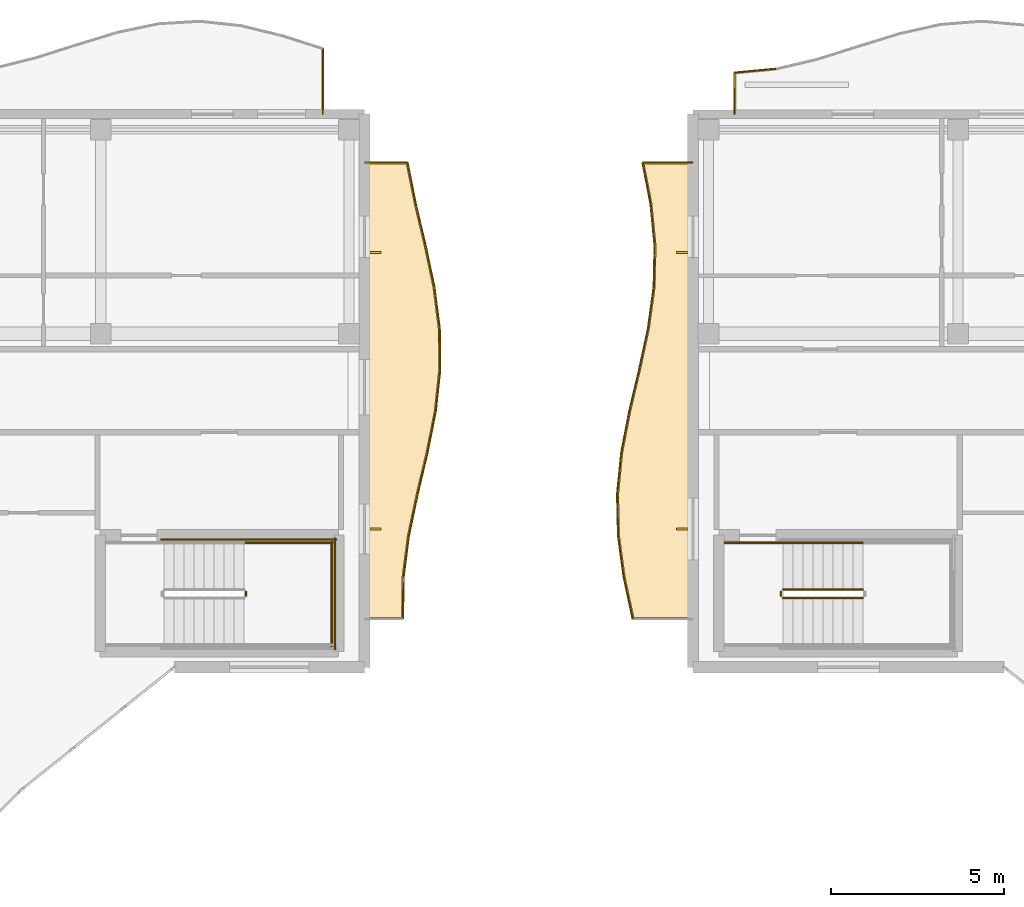
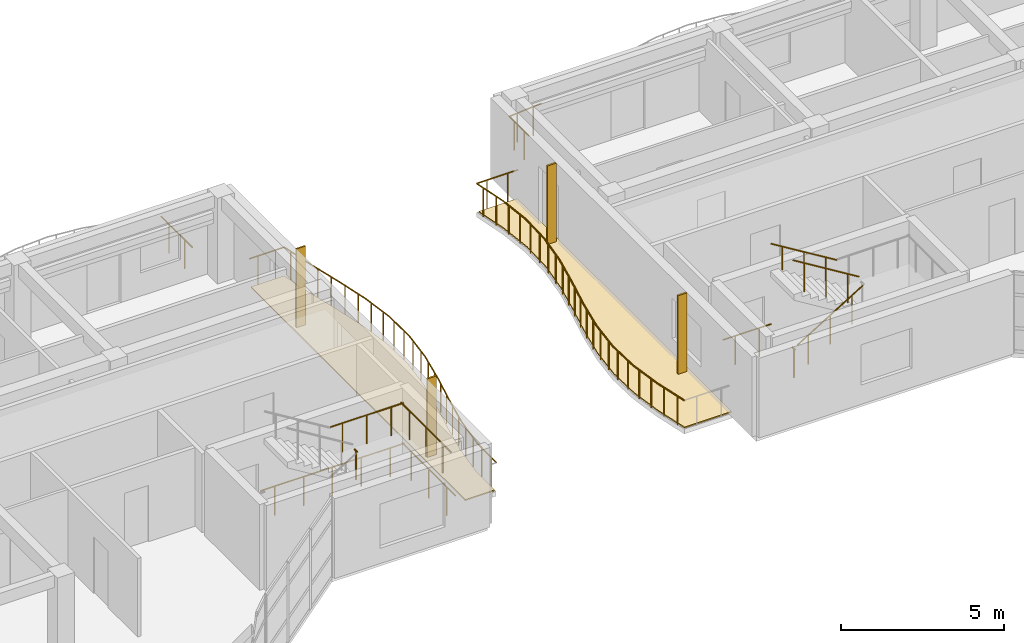
# One storey, part 73 of 76: 37 railings, 4 shading devices, 2 coverings.
"""IFC4 building model written with IfcOpenShell, lengths in metres."""

from ifc_helpers import new_model, si_unit, direction, frame, origin, origin_2d, place, context, subcontext, project, spatial, polyline, rectangle, circle, outline, extrude, material, layer, layer_set, type_object, element, save


model = new_model("IFC4")

# Units and contexts
model_context = context("Model", 3, precision=1e-05, world=origin(), true_north=direction((0.0, 1.0)))
body_context = subcontext(model_context, "Body", "Model", "MODEL_VIEW")
ifc_project = project(units=[si_unit("LENGTHUNIT", "METRE"), si_unit("AREAUNIT", "SQUARE_METRE"), si_unit("VOLUMEUNIT", "CUBIC_METRE"), si_unit("PLANEANGLEUNIT", "RADIAN"), si_unit("MASSUNIT", "GRAM", prefix="KILO")], contexts=[model_context])

# Site, building, storey
site_placement = place(None, origin())
site = spatial("IfcSite", under=ifc_project, at=site_placement, CompositionType="ELEMENT")
building_placement = place(site_placement, origin())
building = spatial("IfcBuilding", under=site, at=building_placement, Name="Keldmere Railside Commons", CompositionType="ELEMENT")
storey_placement = place(building_placement, frame((0.0, 0.0, 13.760009765625)))
storey = spatial("IfcBuildingStorey", under=building, at=storey_placement, Name="L04", CompositionType="ELEMENT", Elevation=13.760009765625)

# Railings
ifc_material_1 = material(Name="Steel F-24 (S235)", Category="steel")
railing_type_1 = type_object("IfcRailingType", Name="Balcony & Terrace Steel Balustrade 1100", PredefinedType="BALUSTRADE", material=ifc_material_1)
railing_1_placement = place(storey_placement, frame((136.300048828125, 117.90478515625, 0.0)))
element("IfcRailing", 1, at=railing_1_placement, inside=storey, type_object=railing_type_1, Name="GR-1 GRD-L04-2273", PredefinedType="BALUSTRADE", context=body_context, shape_type="SweptSolid", body=[
    extrude(circle(Radius=0.02392578125, at=origin_2d()), frame((0.0, 0.0, 1.076171875), z_axis=(0.0, -1.0, 0.0), x_axis=(1.0, 0.0, 0.0)), (0.0, 0.0, 1.0), 1.90478515625),
    extrude(circle(Radius=0.02099609375, at=origin_2d()), frame((0.0, -0.47607421875, 0.0)), (0.0, 0.0, 1.0), 1.048095703125),
    extrude(circle(Radius=0.02099609375, at=origin_2d()), frame((0.0, -1.4287109375, 0.0)), (0.0, 0.0, 1.0), 1.048095703125),
])
railing_2_placement = place(storey_placement, frame((138.6123046875, 101.39990234375, 0.0)))
element("IfcRailing", 2, at=railing_2_placement, inside=storey, type_object=railing_type_1, Name="GR-1 GRD-L04-2330", PredefinedType="BALUSTRADE", context=body_context, shape_type="SweptSolid", body=[
    extrude(circle(Radius=0.02392578125, at=origin_2d()), frame((0.0, 0.0, 1.076171875), z_axis=(0.01179738887, 0.999930408386, 0.0), x_axis=(-0.999930408386, 0.01179738887, 0.0)), (0.0, 0.0, 1.0), 1.2001953125),
    extrude(circle(Radius=0.02099609375, at=origin_2d()), frame((0.00341796875, 0.300048828125, 0.0)), (0.0, 0.0, 1.0), 1.048095703125),
    extrude(circle(Radius=0.02099609375, at=origin_2d()), frame((0.0107421875, 0.900146484375, 0.0)), (0.0, 0.0, 1.0), 1.048095703125),
])
railing_3_placement = place(storey_placement, frame((138.62646484375, 102.60009765625, 0.0)))
element("IfcRailing", 3, at=railing_3_placement, inside=storey, type_object=railing_type_1, Name="GR-1 GRD-L04-2331", PredefinedType="BALUSTRADE", context=body_context, shape_type="SweptSolid", body=[
    extrude(circle(Radius=0.02392578125, at=origin_2d()), frame((0.0, 0.0, 1.076171875), z_axis=(0.127535922224, 0.991833952102, 0.0), x_axis=(-0.991833952102, 0.127535922224, 0.0)), (0.0, 0.0, 1.0), 1.209716796875),
    extrude(circle(Radius=0.02099609375, at=origin_2d()), frame((0.03857421875, 0.300048828125, 0.0)), (0.0, 0.0, 1.0), 1.048095703125),
    extrude(circle(Radius=0.02099609375, at=origin_2d()), frame((0.11572265625, 0.89990234375, 0.0)), (0.0, 0.0, 1.0), 1.048095703125),
])
railing_4_placement = place(storey_placement, frame((138.78076171875, 103.800048828125, 0.0)))
element("IfcRailing", 4, at=railing_4_placement, inside=storey, type_object=railing_type_1, Name="GR-1 GRD-L04-2332", PredefinedType="BALUSTRADE", context=body_context, shape_type="SweptSolid", body=[
    extrude(circle(Radius=0.02392578125, at=origin_2d()), frame((0.0, 0.0, 1.076171875), z_axis=(0.206632460554, 0.978418635475, 0.0), x_axis=(-0.978418635475, 0.206632460554, 0.0)), (0.0, 0.0, 1.0), 1.226318359375),
    extrude(circle(Radius=0.02099609375, at=origin_2d()), frame((0.0634765625, 0.300048828125, 0.0)), (0.0, 0.0, 1.0), 1.048095703125),
    extrude(circle(Radius=0.02099609375, at=origin_2d()), frame((0.18994140625, 0.89990234375, 0.0)), (0.0, 0.0, 1.0), 1.048095703125),
])
railing_5_placement = place(storey_placement, frame((139.0341796875, 105.0, 0.0)))
element("IfcRailing", 5, at=railing_5_placement, inside=storey, type_object=railing_type_1, Name="GR-1 GRD-L04-2333", PredefinedType="BALUSTRADE", context=body_context, shape_type="SweptSolid", body=[
    extrude(circle(Radius=0.02392578125, at=origin_2d()), frame((0.0, 0.0, 1.076171875), z_axis=(0.230451583852, 0.973083792641, 0.0), x_axis=(-0.973083792641, 0.230451583852, 0.0)), (0.0, 0.0, 1.0), 1.233154296875),
    extrude(circle(Radius=0.02099609375, at=origin_2d()), frame((0.071044921875, 0.300048828125, 0.0)), (0.0, 0.0, 1.0), 1.048095703125),
    extrude(circle(Radius=0.02099609375, at=origin_2d()), frame((0.213134765625, 0.89990234375, 0.0)), (0.0, 0.0, 1.0), 1.048095703125),
])
railing_6_placement = place(storey_placement, frame((139.318359375, 106.199951171875, 0.0)))
element("IfcRailing", 6, at=railing_6_placement, inside=storey, type_object=railing_type_1, Name="GR-1 GRD-L04-2334", PredefinedType="BALUSTRADE", context=body_context, shape_type="SweptSolid", body=[
    extrude(circle(Radius=0.02392578125, at=origin_2d()), frame((0.0, 0.0, 1.076171875), z_axis=(0.195540530718, 0.980695620897, 0.0), x_axis=(-0.980695620897, 0.195540530718, 0.0)), (0.0, 0.0, 1.0), 1.2236328125),
    extrude(circle(Radius=0.02099609375, at=origin_2d()), frame((0.059814453125, 0.300048828125, 0.0)), (0.0, 0.0, 1.0), 1.048095703125),
    extrude(circle(Radius=0.02099609375, at=origin_2d()), frame((0.179443359375, 0.89990234375, 0.0)), (0.0, 0.0, 1.0), 1.048095703125),
])
railing_7_placement = place(storey_placement, frame((139.5576171875, 107.39990234375, 0.0)))
element("IfcRailing", 7, at=railing_7_placement, inside=storey, type_object=railing_type_1, Name="GR-1 GRD-L04-2335", PredefinedType="BALUSTRADE", context=body_context, shape_type="SweptSolid", body=[
    extrude(circle(Radius=0.02392578125, at=origin_2d()), frame((0.0, 0.0, 1.076171875), z_axis=(0.107589896583, 0.994195360155, 0.0), x_axis=(-0.994195360155, 0.107589896583, 0.0)), (0.0, 0.0, 1.0), 1.207275390625),
    extrude(circle(Radius=0.02099609375, at=origin_2d()), frame((0.032470703125, 0.300048828125, 0.0)), (0.0, 0.0, 1.0), 1.048095703125),
    extrude(circle(Radius=0.02099609375, at=origin_2d()), frame((0.097412109375, 0.900146484375, 0.0)), (0.0, 0.0, 1.0), 1.048095703125),
])
railing_8_placement = place(storey_placement, frame((139.6875, 108.60009765625, 0.0)))
element("IfcRailing", 8, at=railing_8_placement, inside=storey, type_object=railing_type_1, Name="GR-1 GRD-L04-2336", PredefinedType="BALUSTRADE", context=body_context, shape_type="SweptSolid", body=[
    extrude(circle(Radius=0.02392578125, at=origin_2d()), frame((0.0, 0.0, 1.076171875), z_axis=(-0.011596371782, 0.99993275982, 0.0), x_axis=(-0.99993275982, -0.011596371782, 0.0)), (0.0, 0.0, 1.0), 1.199951171875),
    extrude(circle(Radius=0.02099609375, at=origin_2d()), frame((-0.00341796875, 0.300048828125, 0.0)), (0.0, 0.0, 1.0), 1.048095703125),
    extrude(circle(Radius=0.02099609375, at=origin_2d()), frame((-0.010498046875, 0.89990234375, 0.0)), (0.0, 0.0, 1.0), 1.048095703125),
])
railing_9_placement = place(storey_placement, frame((139.673583984375, 109.800048828125, 0.0)))
element("IfcRailing", 9, at=railing_9_placement, inside=storey, type_object=railing_type_1, Name="GR-1 GRD-L04-2337", PredefinedType="BALUSTRADE", context=body_context, shape_type="SweptSolid", body=[
    extrude(circle(Radius=0.02392578125, at=origin_2d()), frame((0.0, 0.0, 1.076171875), z_axis=(-0.127535922224, 0.991833952102, 0.0), x_axis=(-0.991833952102, -0.127535922224, 0.0)), (0.0, 0.0, 1.0), 1.209716796875),
    extrude(circle(Radius=0.02099609375, at=origin_2d()), frame((-0.03857421875, 0.300048828125, 0.0)), (0.0, 0.0, 1.0), 1.048095703125),
    extrude(circle(Radius=0.02099609375, at=origin_2d()), frame((-0.11572265625, 0.89990234375, 0.0)), (0.0, 0.0, 1.0), 1.048095703125),
])
railing_10_placement = place(storey_placement, frame((139.519287109375, 111.0, 0.0)))
element("IfcRailing", 10, at=railing_10_placement, inside=storey, type_object=railing_type_1, Name="GR-1 GRD-L04-2338", PredefinedType="BALUSTRADE", context=body_context, shape_type="SweptSolid", body=[
    extrude(circle(Radius=0.02392578125, at=origin_2d()), frame((0.0, 0.0, 1.076171875), z_axis=(-0.206632460554, 0.978418635475, 0.0), x_axis=(-0.978418635475, -0.206632460554, 0.0)), (0.0, 0.0, 1.0), 1.226318359375),
    extrude(circle(Radius=0.02099609375, at=origin_2d()), frame((-0.0634765625, 0.300048828125, 0.0)), (0.0, 0.0, 1.0), 1.048095703125),
    extrude(circle(Radius=0.02099609375, at=origin_2d()), frame((-0.18994140625, 0.89990234375, 0.0)), (0.0, 0.0, 1.0), 1.048095703125),
])
railing_11_placement = place(storey_placement, frame((139.265869140625, 112.199951171875, 0.0)))
element("IfcRailing", 11, at=railing_11_placement, inside=storey, type_object=railing_type_1, Name="GR-1 GRD-L04-2339", PredefinedType="BALUSTRADE", context=body_context, shape_type="SweptSolid", body=[
    extrude(circle(Radius=0.02392578125, at=origin_2d()), frame((0.0, 0.0, 1.076171875), z_axis=(-0.230451583852, 0.973083792641, 0.0), x_axis=(-0.973083792641, -0.230451583852, 0.0)), (0.0, 0.0, 1.0), 1.233154296875),
    extrude(circle(Radius=0.02099609375, at=origin_2d()), frame((-0.071044921875, 0.300048828125, 0.0)), (0.0, 0.0, 1.0), 1.048095703125),
    extrude(circle(Radius=0.02099609375, at=origin_2d()), frame((-0.213134765625, 0.89990234375, 0.0)), (0.0, 0.0, 1.0), 1.048095703125),
])
railing_12_placement = place(storey_placement, frame((138.981689453125, 113.39990234375, 0.0)))
element("IfcRailing", 12, at=railing_12_placement, inside=storey, type_object=railing_type_1, Name="GR-1 GRD-L04-2340", PredefinedType="BALUSTRADE", context=body_context, shape_type="SweptSolid", body=[
    extrude(circle(Radius=0.02392578125, at=origin_2d()), frame((0.0, 0.0, 1.076171875), z_axis=(-0.195502274815, 0.980703247951, 0.0), x_axis=(-0.980703247951, -0.195502274815, 0.0)), (0.0, 0.0, 1.0), 1.223876953125),
    extrude(circle(Radius=0.02099609375, at=origin_2d()), frame((-0.059814453125, 0.300048828125, 0.0)), (0.0, 0.0, 1.0), 1.048095703125),
    extrude(circle(Radius=0.02099609375, at=origin_2d()), frame((-0.179443359375, 0.900146484375, 0.0)), (0.0, 0.0, 1.0), 1.048095703125),
])
railing_13_placement = place(storey_placement, frame((138.742431640625, 114.60009765625, 0.0)))
element("IfcRailing", 13, at=railing_13_placement, inside=storey, type_object=railing_type_1, Name="GR-1 GRD-L04-2341", PredefinedType="BALUSTRADE", context=body_context, shape_type="SweptSolid", body=[
    extrude(circle(Radius=0.02392578125, at=origin_2d()), frame((0.0, 0.0, 1.076171875), z_axis=(-1.0, 0.0, 0.0), x_axis=(0.0, -1.0, 0.0)), (0.0, 0.0, 1.0), 1.242431640625),
    extrude(circle(Radius=0.02099609375, at=origin_2d()), frame((-0.310546875, 0.0, 0.0)), (0.0, 0.0, 1.0), 1.048095703125),
    extrude(circle(Radius=0.02099609375, at=origin_2d()), frame((-0.931884765625, 0.0, 0.0)), (0.0, 0.0, 1.0), 1.048095703125),
])
railing_14_placement = place(storey_placement, frame((148.199951171875, 116.0, 0.0)))
element("IfcRailing", 14, at=railing_14_placement, inside=storey, type_object=railing_type_1, Name="GR-1 GRD-L04-3555", PredefinedType="BALUSTRADE", context=body_context, shape_type="SweptSolid", body=[
    extrude(circle(Radius=0.02392578125, at=origin_2d()), frame((0.0, 0.0, 1.076171875), z_axis=(0.0, 1.0, 0.0), x_axis=(-1.0, 0.0, 0.0)), (0.0, 0.0, 1.0), 1.200439453125),
    extrude(circle(Radius=0.02099609375, at=origin_2d()), frame((0.0, 0.300048828125, 0.0)), (0.0, 0.0, 1.0), 1.048095703125),
    extrude(circle(Radius=0.02099609375, at=origin_2d()), frame((0.0, 0.900390625, 0.0)), (0.0, 0.0, 1.0), 1.048095703125),
])
railing_15_placement = place(storey_placement, frame((148.199951171875, 117.200439453125, 0.0)))
element("IfcRailing", 15, at=railing_15_placement, inside=storey, type_object=railing_type_1, Name="GR-1 GRD-L04-3556", PredefinedType="BALUSTRADE", context=body_context, shape_type="SweptSolid", body=[
    extrude(circle(Radius=0.02392578125, at=origin_2d()), frame((0.0, 0.0, 1.076171875), z_axis=(0.995522897119, 0.094520692503, 0.0), x_axis=(-0.094520692503, 0.995522897119, 0.0)), (0.0, 0.0, 1.0), 1.198486328125),
    extrude(circle(Radius=0.02099609375, at=origin_2d()), frame((0.29833984375, 0.0283203125, 0.0)), (0.0, 0.0, 1.0), 1.048095703125),
    extrude(circle(Radius=0.02099609375, at=origin_2d()), frame((0.894775390625, 0.0849609375, 0.0)), (0.0, 0.0, 1.0), 1.048095703125),
])
railing_16_placement = place(storey_placement, frame((145.2587890625, 101.39990234375, 0.0)))
element("IfcRailing", 16, at=railing_16_placement, inside=storey, type_object=railing_type_1, Name="GR-1 GRD-L04-3663", PredefinedType="BALUSTRADE", context=body_context, shape_type="SweptSolid", body=[
    extrude(circle(Radius=0.02392578125, at=origin_2d()), frame((0.0, 0.0, 1.076171875), z_axis=(-0.210968262646, 0.977492911563, 0.0), x_axis=(-0.977492911563, -0.210968262646, 0.0)), (0.0, 0.0, 1.0), 1.227783203125),
    extrude(circle(Radius=0.02099609375, at=origin_2d()), frame((-0.064697265625, 0.300048828125, 0.0)), (0.0, 0.0, 1.0), 1.048095703125),
    extrude(circle(Radius=0.02099609375, at=origin_2d()), frame((-0.1943359375, 0.900146484375, 0.0)), (0.0, 0.0, 1.0), 1.048095703125),
])
railing_17_placement = place(storey_placement, frame((144.999755859375, 102.60009765625, 0.0)))
element("IfcRailing", 17, at=railing_17_placement, inside=storey, type_object=railing_type_1, Name="GR-1 GRD-L04-3664", PredefinedType="BALUSTRADE", context=body_context, shape_type="SweptSolid", body=[
    extrude(circle(Radius=0.02392578125, at=origin_2d()), frame((0.0, 0.0, 1.076171875), z_axis=(-0.136255431864, 0.990673739072, 0.0), x_axis=(-0.990673739072, -0.136255431864, 0.0)), (0.0, 0.0, 1.0), 1.211181640625),
    extrude(circle(Radius=0.02099609375, at=origin_2d()), frame((-0.041259765625, 0.300048828125, 0.0)), (0.0, 0.0, 1.0), 1.048095703125),
    extrude(circle(Radius=0.02099609375, at=origin_2d()), frame((-0.123779296875, 0.89990234375, 0.0)), (0.0, 0.0, 1.0), 1.048095703125),
])
railing_18_placement = place(storey_placement, frame((144.834716796875, 103.800048828125, 0.0)))
element("IfcRailing", 18, at=railing_18_placement, inside=storey, type_object=railing_type_1, Name="GR-1 GRD-L04-3665", PredefinedType="BALUSTRADE", context=body_context, shape_type="SweptSolid", body=[
    extrude(circle(Radius=0.02392578125, at=origin_2d()), frame((0.0, 0.0, 1.076171875), z_axis=(-0.022578169675, 0.999745080635, 0.0), x_axis=(-0.999745080635, -0.022578169675, 0.0)), (0.0, 0.0, 1.0), 1.2001953125),
    extrude(circle(Radius=0.02099609375, at=origin_2d()), frame((-0.0068359375, 0.300048828125, 0.0)), (0.0, 0.0, 1.0), 1.048095703125),
    extrude(circle(Radius=0.02099609375, at=origin_2d()), frame((-0.020263671875, 0.89990234375, 0.0)), (0.0, 0.0, 1.0), 1.048095703125),
])
railing_19_placement = place(storey_placement, frame((144.8076171875, 105.0, 0.0)))
element("IfcRailing", 19, at=railing_19_placement, inside=storey, type_object=railing_type_1, Name="GR-1 GRD-L04-3666", PredefinedType="BALUSTRADE", context=body_context, shape_type="SweptSolid", body=[
    extrude(circle(Radius=0.02392578125, at=origin_2d()), frame((0.0, 0.0, 1.076171875), z_axis=(0.098200574126, 0.99516664295, 0.0), x_axis=(-0.99516664295, 0.098200574126, 0.0)), (0.0, 0.0, 1.0), 1.205810546875),
    extrude(circle(Radius=0.02099609375, at=origin_2d()), frame((0.029541015625, 0.300048828125, 0.0)), (0.0, 0.0, 1.0), 1.048095703125),
    extrude(circle(Radius=0.02099609375, at=origin_2d()), frame((0.0888671875, 0.89990234375, 0.0)), (0.0, 0.0, 1.0), 1.048095703125),
])
railing_20_placement = place(storey_placement, frame((144.926025390625, 106.199951171875, 0.0)))
element("IfcRailing", 20, at=railing_20_placement, inside=storey, type_object=railing_type_1, Name="GR-1 GRD-L04-3667", PredefinedType="BALUSTRADE", context=body_context, shape_type="SweptSolid", body=[
    extrude(circle(Radius=0.02392578125, at=origin_2d()), frame((0.0, 0.0, 1.076171875), z_axis=(0.189773450839, 0.981827906182, 0.0), x_axis=(-0.981827906182, 0.189773450839, 0.0)), (0.0, 0.0, 1.0), 1.22216796875),
    extrude(circle(Radius=0.02099609375, at=origin_2d()), frame((0.05810546875, 0.300048828125, 0.0)), (0.0, 0.0, 1.0), 1.048095703125),
    extrude(circle(Radius=0.02099609375, at=origin_2d()), frame((0.173828125, 0.89990234375, 0.0)), (0.0, 0.0, 1.0), 1.048095703125),
])
railing_21_placement = place(storey_placement, frame((145.157958984375, 107.39990234375, 0.0)))
element("IfcRailing", 21, at=railing_21_placement, inside=storey, type_object=railing_type_1, Name="GR-1 GRD-L04-3668", PredefinedType="BALUSTRADE", context=body_context, shape_type="SweptSolid", body=[
    extrude(circle(Radius=0.02392578125, at=origin_2d()), frame((0.0, 0.0, 1.076171875), z_axis=(0.229844771639, 0.97322730179, 0.0), x_axis=(-0.97322730179, 0.229844771639, 0.0)), (0.0, 0.0, 1.0), 1.233154296875),
    extrude(circle(Radius=0.02099609375, at=origin_2d()), frame((0.07080078125, 0.300048828125, 0.0)), (0.0, 0.0, 1.0), 1.048095703125),
    extrude(circle(Radius=0.02099609375, at=origin_2d()), frame((0.212646484375, 0.900146484375, 0.0)), (0.0, 0.0, 1.0), 1.048095703125),
])
railing_22_placement = place(storey_placement, frame((145.44140625, 108.60009765625, 0.0)))
element("IfcRailing", 22, at=railing_22_placement, inside=storey, type_object=railing_type_1, Name="GR-1 GRD-L04-3669", PredefinedType="BALUSTRADE", context=body_context, shape_type="SweptSolid", body=[
    extrude(circle(Radius=0.02392578125, at=origin_2d()), frame((0.0, 0.0, 1.076171875), z_axis=(0.210819240345, 0.977525062543, 0.0), x_axis=(-0.977525062543, 0.210819240345, 0.0)), (0.0, 0.0, 1.0), 1.2275390625),
    extrude(circle(Radius=0.02099609375, at=origin_2d()), frame((0.064697265625, 0.300048828125, 0.0)), (0.0, 0.0, 1.0), 1.048095703125),
    extrude(circle(Radius=0.02099609375, at=origin_2d()), frame((0.194091796875, 0.89990234375, 0.0)), (0.0, 0.0, 1.0), 1.048095703125),
])
railing_23_placement = place(storey_placement, frame((145.7001953125, 109.800048828125, 0.0)))
element("IfcRailing", 23, at=railing_23_placement, inside=storey, type_object=railing_type_1, Name="GR-1 GRD-L04-3670", PredefinedType="BALUSTRADE", context=body_context, shape_type="SweptSolid", body=[
    extrude(circle(Radius=0.02392578125, at=origin_2d()), frame((0.0, 0.0, 1.076171875), z_axis=(0.136453242906, 0.990646512385, 0.0), x_axis=(-0.990646512385, 0.136453242906, 0.0)), (0.0, 0.0, 1.0), 1.211181640625),
    extrude(circle(Radius=0.02099609375, at=origin_2d()), frame((0.041259765625, 0.300048828125, 0.0)), (0.0, 0.0, 1.0), 1.048095703125),
    extrude(circle(Radius=0.02099609375, at=origin_2d()), frame((0.1240234375, 0.89990234375, 0.0)), (0.0, 0.0, 1.0), 1.048095703125),
])
railing_24_placement = place(storey_placement, frame((145.865478515625, 111.0, 0.0)))
element("IfcRailing", 24, at=railing_24_placement, inside=storey, type_object=railing_type_1, Name="GR-1 GRD-L04-3671", PredefinedType="BALUSTRADE", context=body_context, shape_type="SweptSolid", body=[
    extrude(circle(Radius=0.02392578125, at=origin_2d()), frame((0.0, 0.0, 1.076171875), z_axis=(0.022374865036, 0.99974965137, 0.0), x_axis=(-0.99974965137, 0.022374865036, 0.0)), (0.0, 0.0, 1.0), 1.2001953125),
    extrude(circle(Radius=0.02099609375, at=origin_2d()), frame((0.0068359375, 0.300048828125, 0.0)), (0.0, 0.0, 1.0), 1.048095703125),
    extrude(circle(Radius=0.02099609375, at=origin_2d()), frame((0.02001953125, 0.89990234375, 0.0)), (0.0, 0.0, 1.0), 1.048095703125),
])
railing_25_placement = place(storey_placement, frame((145.892333984375, 112.199951171875, 0.0)))
element("IfcRailing", 25, at=railing_25_placement, inside=storey, type_object=railing_type_1, Name="GR-1 GRD-L04-3672", PredefinedType="BALUSTRADE", context=body_context, shape_type="SweptSolid", body=[
    extrude(circle(Radius=0.02392578125, at=origin_2d()), frame((0.0, 0.0, 1.076171875), z_axis=(-0.098200574126, 0.99516664295, 0.0), x_axis=(-0.99516664295, -0.098200574126, 0.0)), (0.0, 0.0, 1.0), 1.205810546875),
    extrude(circle(Radius=0.02099609375, at=origin_2d()), frame((-0.029541015625, 0.300048828125, 0.0)), (0.0, 0.0, 1.0), 1.048095703125),
    extrude(circle(Radius=0.02099609375, at=origin_2d()), frame((-0.0888671875, 0.89990234375, 0.0)), (0.0, 0.0, 1.0), 1.048095703125),
])
railing_26_placement = place(storey_placement, frame((145.77392578125, 113.39990234375, 0.0)))
element("IfcRailing", 26, at=railing_26_placement, inside=storey, type_object=railing_type_1, Name="GR-1 GRD-L04-3673", PredefinedType="BALUSTRADE", context=body_context, shape_type="SweptSolid", body=[
    extrude(circle(Radius=0.02392578125, at=origin_2d()), frame((0.0, 0.0, 1.076171875), z_axis=(-0.189736237461, 0.98183509827, 0.0), x_axis=(-0.98183509827, -0.189736237461, 0.0)), (0.0, 0.0, 1.0), 1.222412109375),
    extrude(circle(Radius=0.02099609375, at=origin_2d()), frame((-0.05810546875, 0.300048828125, 0.0)), (0.0, 0.0, 1.0), 1.048095703125),
    extrude(circle(Radius=0.02099609375, at=origin_2d()), frame((-0.173828125, 0.900146484375, 0.0)), (0.0, 0.0, 1.0), 1.048095703125),
])
railing_27_placement = place(storey_placement, frame((145.5419921875, 114.60009765625, 0.0)))
element("IfcRailing", 27, at=railing_27_placement, inside=storey, type_object=railing_type_1, Name="GR-1 GRD-L04-3674", PredefinedType="BALUSTRADE", context=body_context, shape_type="SweptSolid", body=[
    extrude(circle(Radius=0.02392578125, at=origin_2d()), frame((0.0, 0.0, 1.076171875), z_axis=(1.0, 0.0, 0.0), x_axis=(0.0, 1.0, 0.0)), (0.0, 0.0, 1.0), 1.4580078125),
    extrude(circle(Radius=0.02099609375, at=origin_2d()), frame((0.364501953125, 0.0, 0.0)), (0.0, 0.0, 1.0), 1.048095703125),
    extrude(circle(Radius=0.02099609375, at=origin_2d()), frame((1.093505859375, 0.0, 0.0)), (0.0, 0.0, 1.0), 1.048095703125),
])

# Shading devices
ifc_layer_1 = layer(ifc_material_1, 0.06005859375, Name="East-West Vertical Brise-Soleil Fin 320x60")
ifc_layer_set_1 = layer_set([ifc_layer_1], Name="Steel F-24 (S235)")
shading_device_type = type_object("IfcShadingDeviceType", Name="East-West Vertical Brise-Soleil Fin 320x60", PredefinedType="USERDEFINED", material=ifc_layer_set_1)
for number, where, z_axis, x_axis, name in (
    (28, (137.818115234375, 112.0, 0.0), (0.0, 0.0, 1.0), (1.0, 0.0, 0.0), "FIN-1 Solar Fin 023"),
    (29, (137.818115234375, 104.0, 0.0), (0.0, 0.0, 1.0), (1.0, 0.0, 0.0), "FIN-1 Solar Fin 024"),
    (30, (146.681884765625, 104.0, 0.0), (0.0, 0.0, 1.0), (1.0, 0.0, 0.0), "FIN-1 Solar Fin 033"),
    (31, (146.681884765625, 112.0, 0.0), (0.0, 0.0, 1.0), (1.0, 0.0, 0.0), "FIN-1 Solar Fin 034"),
):
    element("IfcShadingDevice", number, at=place(storey_placement, frame(where, z_axis=z_axis, x_axis=x_axis)), inside=storey, type_object=shading_device_type, Name=name, ObjectType="FIN", PredefinedType="USERDEFINED", context=body_context, shape_type="SweptSolid", body=[
        extrude(rectangle(XDim=0.320068359375, YDim=0.06005859375, at=origin_2d()), origin(), (0.0, 0.0, 1.0), 2.97998046875),
    ])

# Railings
railing_type_2 = type_object("IfcRailingType", Name="Stair Well Steel Guardrail 1100", PredefinedType="BALUSTRADE", material=ifc_material_1)
railing_28_placement = place(storey_placement, frame((134.070068359375, 102.050048828125, 1.60009765625)))
element("IfcRailing", 32, at=railing_28_placement, inside=storey, type_object=railing_type_2, Name="L04 ST-B2 stair guard 2", PredefinedType="BALUSTRADE", context=body_context, shape_type="SweptSolid", body=[
    extrude(circle(Radius=0.02392578125, at=origin_2d()), frame((0.0, 0.0, 1.076171875), z_axis=(0.0, 1.0, 0.0), x_axis=(-1.0, 0.0, 0.0)), (0.0, 0.0, 1.0), 0.14990234375),
    extrude(circle(Radius=0.02099609375, at=origin_2d()), frame((0.0, 0.074951171875, 0.0)), (0.0, 0.0, 1.0), 1.048095703125),
])
railing_29_placement = place(storey_placement, frame((134.02001953125, 103.60009765625, 1.60009765625)))
element("IfcRailing", 33, at=railing_29_placement, inside=storey, type_object=railing_type_2, Name="L04 ST-B2 stair guard 4", PredefinedType="BALUSTRADE", context=body_context, shape_type="SweptSolid", body=[
    extrude(circle(Radius=0.02392578125, at=origin_2d()), frame((0.0, 0.0, 1.076171875), z_axis=(1.0, 0.0, 0.0), x_axis=(0.0, 1.0, 0.0)), (0.0, 0.0, 1.0), 2.580078125),
    extrude(circle(Radius=0.02099609375, at=origin_2d()), frame((0.429931640625, 0.0, 0.0)), (0.0, 0.0, 1.0), 1.048095703125),
    extrude(circle(Radius=0.02099609375, at=origin_2d()), frame((1.2900390625, 0.0, 0.0)), (0.0, 0.0, 1.0), 1.048095703125),
    extrude(circle(Radius=0.02099609375, at=origin_2d()), frame((2.150146484375, 0.0, 0.0)), (0.0, 0.0, 1.0), 1.048095703125),
])
railing_30_placement = place(storey_placement, frame((136.550048828125, 100.60009765625, 1.60009765625)))
element("IfcRailing", 34, at=railing_30_placement, inside=storey, type_object=railing_type_2, Name="L04 ST-B2 stair guard 5", PredefinedType="BALUSTRADE", context=body_context, shape_type="SweptSolid", body=[
    extrude(circle(Radius=0.02392578125, at=origin_2d()), frame((0.0, 0.0, 1.076171875), z_axis=(0.0, 1.0, 0.0), x_axis=(-1.0, 0.0, 0.0)), (0.0, 0.0, 1.0), 3.0498046875),
    extrude(circle(Radius=0.02099609375, at=origin_2d()), frame((0.0, 0.50830078125, 0.0)), (0.0, 0.0, 1.0), 1.048095703125),
    extrude(circle(Radius=0.02099609375, at=origin_2d()), frame((0.0, 1.52490234375, 0.0)), (0.0, 0.0, 1.0), 1.048095703125),
    extrude(circle(Radius=0.02099609375, at=origin_2d()), frame((0.0, 2.54150390625, 0.0)), (0.0, 0.0, 1.0), 1.048095703125),
])
railing_31_placement = place(storey_placement, frame((131.60009765625, 103.699951171875, 0.0)))
element("IfcRailing", 35, at=railing_31_placement, inside=storey, type_object=railing_type_2, Name="L04 ST-B2 stair guard 11", PredefinedType="BALUSTRADE", context=body_context, shape_type="SweptSolid", body=[
    extrude(circle(Radius=0.02392578125, at=origin_2d()), frame((0.0, 0.0, 1.076171875), z_axis=(1.0, 0.0, 0.0), x_axis=(0.0, 1.0, 0.0)), (0.0, 0.0, 1.0), 5.099853515625),
    extrude(circle(Radius=0.02099609375, at=origin_2d()), frame((0.510009765625, 0.0, 0.0)), (0.0, 0.0, 1.0), 1.048095703125),
    extrude(circle(Radius=0.02099609375, at=origin_2d()), frame((1.530029296875, 0.0, 0.0)), (0.0, 0.0, 1.0), 1.048095703125),
    extrude(circle(Radius=0.02099609375, at=origin_2d()), frame((2.5498046875, 0.0, 0.0)), (0.0, 0.0, 1.0), 1.048095703125),
    extrude(circle(Radius=0.02099609375, at=origin_2d()), frame((3.56982421875, 0.0, 0.0)), (0.0, 0.0, 1.0), 1.048095703125),
    extrude(circle(Radius=0.02099609375, at=origin_2d()), frame((4.58984375, 0.0, 0.0)), (0.0, 0.0, 1.0), 1.048095703125),
])
railing_32_placement = place(storey_placement, frame((136.64990234375, 100.5, 0.0)))
element("IfcRailing", 36, at=railing_32_placement, inside=storey, type_object=railing_type_2, Name="L04 ST-B2 stair guard 12", PredefinedType="BALUSTRADE", context=body_context, shape_type="SweptSolid", body=[
    extrude(circle(Radius=0.02392578125, at=origin_2d()), frame((0.0, 0.0, 1.076171875), z_axis=(0.0, 1.0, 0.0), x_axis=(-1.0, 0.0, 0.0)), (0.0, 0.0, 1.0), 3.25),
    extrude(circle(Radius=0.02099609375, at=origin_2d()), frame((0.0, 0.541748046875, 0.0)), (0.0, 0.0, 1.0), 1.048095703125),
    extrude(circle(Radius=0.02099609375, at=origin_2d()), frame((0.0, 1.625, 0.0)), (0.0, 0.0, 1.0), 1.048095703125),
    extrude(circle(Radius=0.02099609375, at=origin_2d()), frame((0.0, 2.708251953125, 0.0)), (0.0, 0.0, 1.0), 1.048095703125),
])
railing_33_placement = place(storey_placement, frame((149.60009765625, 102.0, 0.177734375)))
element("IfcRailing", 37, at=railing_33_placement, inside=storey, type_object=railing_type_2, Name="L04 ST-A2 stair guard 1", PredefinedType="BALUSTRADE", context=body_context, shape_type="SweptSolid", body=[
    extrude(circle(Radius=0.02392578125, at=origin_2d()), frame((0.0, 0.0, 1.076171875), z_axis=(0.852513557019, 0.0, 0.522705112944), x_axis=(0.0, 1.0, 0.0)), (0.0, 0.0, 1.0), 2.72119140625),
    extrude(circle(Radius=0.02099609375, at=origin_2d()), frame((0.38671875, 0.0, 0.237060546875)), (0.0, 0.0, 1.0), 1.048095703125),
    extrude(circle(Radius=0.02099609375, at=origin_2d()), frame((1.159912109375, 0.0, 0.711181640625)), (0.0, 0.0, 1.0), 1.048095703125),
    extrude(circle(Radius=0.02099609375, at=origin_2d()), frame((1.93310546875, 0.0, 1.185302734375)), (0.0, 0.0, 1.0), 1.048095703125),
])
railing_34_placement = place(storey_placement, frame((151.919921875, 102.25, 1.77783203125)))
element("IfcRailing", 38, at=railing_34_placement, inside=storey, type_object=railing_type_2, Name="L04 ST-A2 stair guard 6", PredefinedType="BALUSTRADE", context=body_context, shape_type="SweptSolid", body=[
    extrude(circle(Radius=0.02392578125, at=origin_2d()), frame((0.0, 0.0, 1.076171875), z_axis=(-0.85255353654, 0.0, 0.522639902162), x_axis=(0.0, -1.0, 0.0)), (0.0, 0.0, 1.0), 2.720947265625),
    extrude(circle(Radius=0.02099609375, at=origin_2d()), frame((-0.38671875, 0.0, 0.237060546875)), (0.0, 0.0, 1.0), 1.048095703125),
    extrude(circle(Radius=0.02099609375, at=origin_2d()), frame((-1.159912109375, 0.0, 0.7109375)), (0.0, 0.0, 1.0), 1.048095703125),
    extrude(circle(Radius=0.02099609375, at=origin_2d()), frame((-1.93310546875, 0.0, 1.18505859375)), (0.0, 0.0, 1.0), 1.048095703125),
])
railing_35_placement = place(storey_placement, frame((149.550048828125, 102.050048828125, 0.0)))
element("IfcRailing", 39, at=railing_35_placement, inside=storey, type_object=railing_type_2, Name="L04 ST-A2 stair guard 7", PredefinedType="BALUSTRADE", context=body_context, shape_type="SweptSolid", body=[
    extrude(circle(Radius=0.02392578125, at=origin_2d()), frame((0.0, 0.0, 1.076171875), z_axis=(0.0, 1.0, 0.0), x_axis=(-1.0, 0.0, 0.0)), (0.0, 0.0, 1.0), 0.14990234375),
    extrude(circle(Radius=0.02099609375, at=origin_2d()), frame((0.0, 0.074951171875, 0.0)), (0.0, 0.0, 1.0), 1.048095703125),
])
railing_36_placement = place(storey_placement, frame((147.89990234375, 103.60009765625, 0.0)))
element("IfcRailing", 40, at=railing_36_placement, inside=storey, type_object=railing_type_2, Name="L04 ST-A2 stair guard 9", PredefinedType="BALUSTRADE", context=body_context, shape_type="SweptSolid", body=[
    extrude(circle(Radius=0.02392578125, at=origin_2d()), frame((0.0, 0.0, 1.076171875), z_axis=(1.0, 0.0, 0.0), x_axis=(0.0, 1.0, 0.0)), (0.0, 0.0, 1.0), 1.7001953125),
    extrude(circle(Radius=0.02099609375, at=origin_2d()), frame((0.425048828125, 0.0, 0.0)), (0.0, 0.0, 1.0), 1.048095703125),
    extrude(circle(Radius=0.02099609375, at=origin_2d()), frame((1.275146484375, 0.0, 0.0)), (0.0, 0.0, 1.0), 1.048095703125),
])
railing_type_3 = type_object("IfcRailingType", Name="Wall-Mounted Tubular Steel Handrail 900", PredefinedType="HANDRAIL", material=ifc_material_1)
railing_37_placement = place(storey_placement, frame((151.919921875, 103.60009765625, 1.77783203125)))
element("IfcRailing", 41, at=railing_37_placement, inside=storey, type_object=railing_type_3, Name="L04 ST-A2 stair handrail 2", PredefinedType="HANDRAIL", context=body_context, shape_type="SweptSolid", body=[
    extrude(circle(Radius=0.02392578125, at=origin_2d()), frame((0.0, 0.0, 0.8759765625), z_axis=(-0.85255353654, 0.0, 0.522639902162), x_axis=(0.0, -1.0, 0.0)), (0.0, 0.0, 1.0), 2.720947265625),
    extrude(circle(Radius=0.02099609375, at=origin_2d()), frame((-0.38671875, 0.0, 0.237060546875)), (0.0, 0.0, 1.0), 0.847900390625),
    extrude(circle(Radius=0.02099609375, at=origin_2d()), frame((-1.159912109375, 0.0, 0.7109375)), (0.0, 0.0, 1.0), 0.847900390625),
    extrude(circle(Radius=0.02099609375, at=origin_2d()), frame((-1.93310546875, 0.0, 1.18505859375)), (0.0, 0.0, 1.0), 0.847900390625),
])

# Coverings
ifc_material_2 = material(Name="White Precast Concrete C35/45", Category="concrete")
ifc_layer_2 = layer(ifc_material_2, 0.044921875, Name="White Architectural Balcony Ribbon Cladding 45")
ifc_layer_set_2 = layer_set([ifc_layer_2], Name="White Precast Concrete C35/45")
covering_type = type_object("IfcCoveringType", Name="White Architectural Balcony Ribbon Cladding 45", PredefinedType="FLOORING", material=ifc_layer_set_2)
covering_1_placement = place(storey_placement, origin())
element("IfcCovering", 42, at=covering_1_placement, inside=storey, type_object=covering_type, Name="CLG-WB B L04 WE White Balcony Ribbon", PredefinedType="FLOORING", context=body_context, shape_type="SweptSolid", body=[
    extrude(outline(polyline([(138.58642578125, 102.6005859375), (138.586669921875, 102.60498046875), (138.7412109375, 103.80517578125), (138.74169921875, 103.808349609375), (138.9951171875, 105.00830078125), (138.9951171875, 105.00927734375), (139.279296875, 106.20849609375), (139.51806640625, 107.406005859375), (139.647705078125, 108.601806640625), (139.633544921875, 109.797119140625), (139.479736328125, 110.993408203125), (139.226806640625, 112.19140625), (138.942626953125, 113.390869140625), (138.9423828125, 113.39208984375), (138.709716796875, 114.56005859375), (137.5400390625, 114.56005859375), (137.5400390625, 101.43994140625), (138.572998046875, 101.43994140625), (138.58642578125, 102.6005859375)])), origin(), (0.0, 0.0, 1.0), 0.044921875),
])
covering_2_placement = place(storey_placement, origin())
element("IfcCovering", 43, at=covering_2_placement, inside=storey, type_object=covering_type, Name="CLG-WB A L04 WW White Balcony Ribbon", PredefinedType="FLOORING", context=body_context, shape_type="SweptSolid", body=[
    extrude(outline(polyline([(146.9599609375, 114.56005859375), (145.590576171875, 114.56005859375), (145.813232421875, 113.40771484375), (145.813720703125, 113.40380859375), (145.93212890625, 112.203857421875), (145.932373046875, 112.19921875), (145.905517578125, 110.9990234375), (145.905029296875, 110.994384765625), (145.739990234375, 109.79443359375), (145.739501953125, 109.79150390625), (145.48046875, 108.591552734375), (145.480224609375, 108.5908203125), (145.197021484375, 107.3916015625), (144.965576171875, 106.194091796875), (144.84765625, 104.99853515625), (144.87451171875, 103.80322265625), (145.0390625, 102.60693359375), (145.291015625, 101.43994140625), (146.9599609375, 101.43994140625), (146.9599609375, 114.56005859375)])), origin(), (0.0, 0.0, 1.0), 0.044921875),
])

save(model, "model.ifc")
